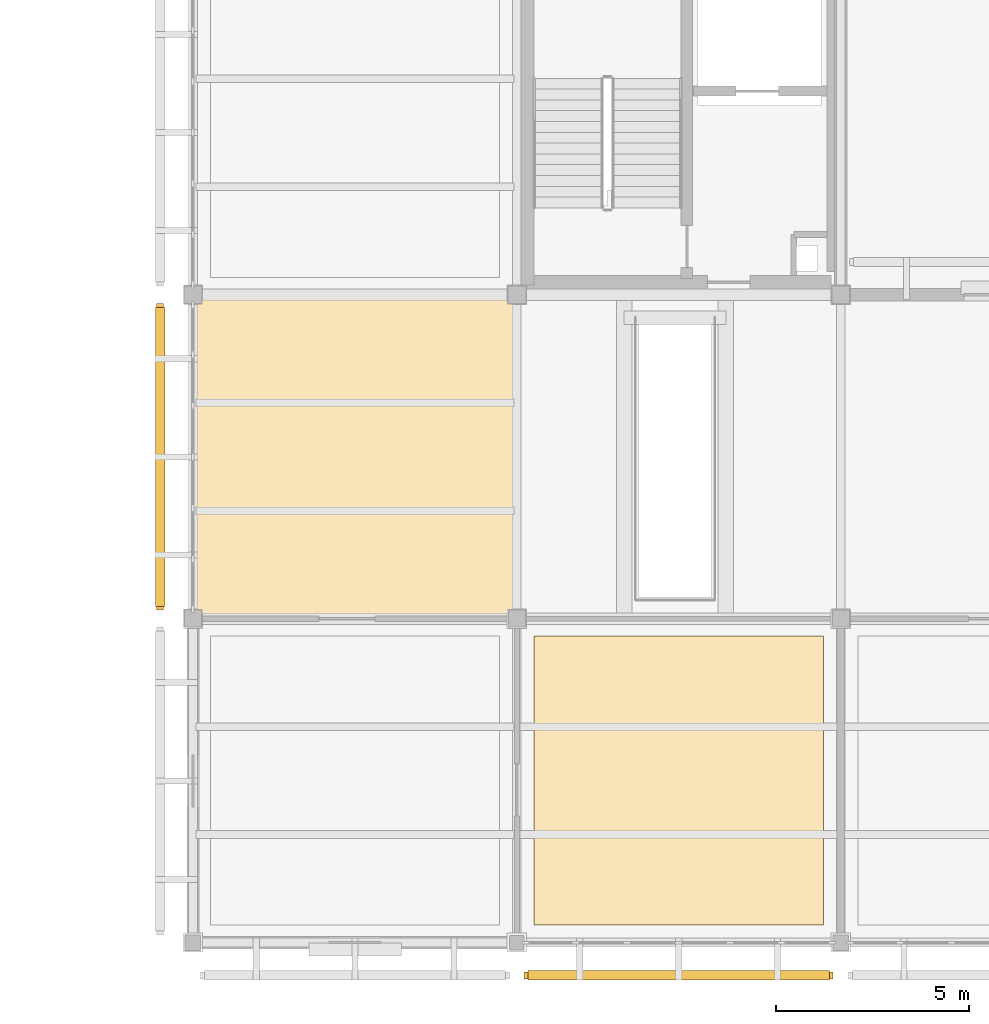
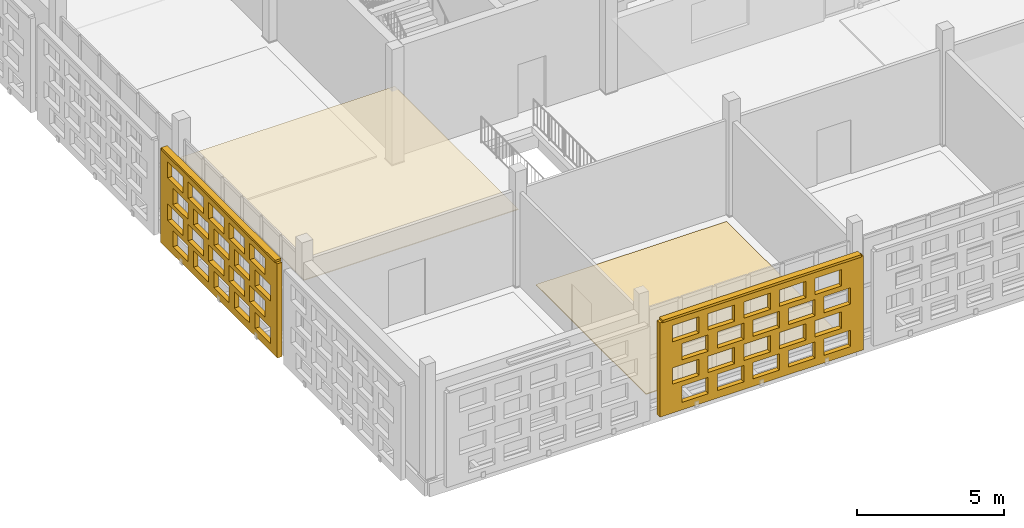
# One storey, part 134 of 203: 4 coverings, 2 shading devices, 40 openings.
"""IFC4 building model written with IfcOpenShell, lengths in metres."""

from ifc_helpers import new_model, si_unit, direction, frame, frame_2d, origin, origin_2d, place, context, subcontext, project, spatial, rectangle, extrude, material, layer, layer_set, type_object, element, save


model = new_model("IFC4")

# Units and contexts
model_context = context("Model", 3, precision=1e-05, world=origin(), true_north=direction((0.0, 1.0)))
body_context = subcontext(model_context, "Body", "Model", "MODEL_VIEW")
ifc_project = project(units=[si_unit("LENGTHUNIT", "METRE"), si_unit("AREAUNIT", "SQUARE_METRE"), si_unit("VOLUMEUNIT", "CUBIC_METRE"), si_unit("PLANEANGLEUNIT", "RADIAN"), si_unit("MASSUNIT", "GRAM", prefix="KILO")], contexts=[model_context])

# Site, building, storey
site_placement = place(None, origin())
site = spatial("IfcSite", under=ifc_project, at=site_placement, CompositionType="ELEMENT")
building_placement = place(site_placement, origin())
building = spatial("IfcBuilding", under=site, at=building_placement, Name="Varnapada Polytechnic", CompositionType="ELEMENT")
storey_placement = place(building_placement, frame((0.0, 0.0, 4.800048828125)))
storey = spatial("IfcBuildingStorey", under=building, at=storey_placement, Name="L01", CompositionType="ELEMENT", Elevation=4.800048828125)

# Coverings
ifc_material_1 = material(Name="Acoustic Rubber Seminar Flooring")
ifc_layer_1 = layer(ifc_material_1, 0.0400390625)
ifc_layer_set_1 = layer_set([ifc_layer_1], Name="Acoustic Rubber Seminar Flooring")
covering_type_1 = type_object("IfcCoveringType", Name="Floor Finish FLR-06", PredefinedType="FLOORING", material=ifc_layer_set_1)
covering_1_placement = place(storey_placement, frame((21.0, 4.199951171875, 0.0), z_axis=(0.0, 0.0, 1.0), x_axis=(1.0, 0.0, 0.0)))
element("IfcCovering", 1, at=covering_1_placement, inside=storey, type_object=covering_type_1, Name="L01 floor finish panel (3,1)", PredefinedType="FLOORING", context=body_context, shape_type="SweptSolid", body=[
    extrude(rectangle(XDim=7.5, YDim=7.5, at=origin_2d()), origin(), (0.0, 0.0, 1.0), 0.0400390625),
])
ifc_material_2 = material(Name="Cleanroom Laboratory Metal Pan Ceiling")
ifc_layer_2 = layer(ifc_material_2, 0.034912109375)
ifc_layer_set_2 = layer_set([ifc_layer_2], Name="Cleanroom Laboratory Metal Pan Ceiling")
covering_type_2 = type_object("IfcCoveringType", Name="Suspended Ceiling CLG-06", PredefinedType="CEILING", material=ifc_layer_set_2)
covering_2_placement = place(storey_placement, frame((12.60009765625, 12.60009765625, 3.03271484375), z_axis=(0.0, 0.0, 1.0), x_axis=(1.0, 0.0, 0.0)))
element("IfcCovering", 2, at=covering_2_placement, inside=storey, type_object=covering_type_2, Name="L01 suspended acoustic ceiling (2,2)", PredefinedType="CEILING", context=body_context, shape_type="SweptSolid", body=[
    extrude(rectangle(XDim=8.419921875, YDim=8.419921875, at=origin_2d()), origin(), (0.0, 0.0, 1.0), 0.034912109375),
])

# Covering, openings
ifc_material_3 = material(Name="Earth-toned architectural terracotta screen block", Category="masonry")
ifc_layer_3 = layer(ifc_material_3, 0.1201171875)
ifc_layer_set_3 = layer_set([ifc_layer_3], Name="Earth-toned architectural terracotta screen block")
covering_type_3 = type_object("IfcCoveringType", Name="Terracotta Screen Cladding CLD-01", PredefinedType="CLADDING", material=ifc_layer_set_3)
covering_3_placement = place(storey_placement, frame((7.550048828125, 8.6201171875, 0.0), z_axis=(0.0, 0.0, 1.0), x_axis=(0.0, 1.0, 0.0)))
covering_3 = element("IfcCovering", 3, at=covering_3_placement, inside=storey, type_object=covering_type_3, Name="L01 perforated terracotta block screen (15)", PredefinedType="CLADDING", context=body_context, shape_type="SweptSolid", body=[
    extrude(rectangle(XDim=7.949951171875, YDim=0.179931640625, at=frame_2d((3.97509765625, 0.0))), origin(), (0.0, 0.0, 1.0), 3.919921875),
])
opening_1_placement = place(covering_3_placement, frame((0.47509765625, 0.0, 0.313720703125)))
element("IfcOpeningElement", 4, at=opening_1_placement, cuts=covering_3, Name="Screen perforation TBS-L01-014.1", PredefinedType="OPENING", context=body_context, shape_type="SweptSolid", body=[
    extrude(rectangle(XDim=1.0400390625, YDim=0.679931640625, at=frame_2d((0.52001953125, 0.33984375))), frame((0.0, 0.099853515625, 0.0), z_axis=(0.0, -1.0, 0.0), x_axis=(1.0, 0.0, 0.0)), (0.0, 0.0, 1.0), 0.199951171875),
])
opening_2_placement = place(covering_3_placement, frame((1.875, 0.0, 0.313720703125)))
element("IfcOpeningElement", 5, at=opening_2_placement, cuts=covering_3, Name="Screen perforation TBS-L01-014.2", PredefinedType="OPENING", context=body_context, shape_type="SweptSolid", body=[
    extrude(rectangle(XDim=1.0400390625, YDim=0.679931640625, at=frame_2d((0.52001953125, 0.33984375))), frame((0.0, 0.099853515625, 0.0), z_axis=(0.0, -1.0, 0.0), x_axis=(1.0, 0.0, 0.0)), (0.0, 0.0, 1.0), 0.199951171875),
])
opening_3_placement = place(covering_3_placement, frame((3.27490234375, 0.0, 0.313720703125)))
element("IfcOpeningElement", 6, at=opening_3_placement, cuts=covering_3, Name="Screen perforation TBS-L01-014.3", PredefinedType="OPENING", context=body_context, shape_type="SweptSolid", body=[
    extrude(rectangle(XDim=1.0400390625, YDim=0.679931640625, at=frame_2d((0.52001953125, 0.33984375))), frame((0.0, 0.099853515625, 0.0), z_axis=(0.0, -1.0, 0.0), x_axis=(1.0, 0.0, 0.0)), (0.0, 0.0, 1.0), 0.199951171875),
])
opening_4_placement = place(covering_3_placement, frame((4.675048828125, 0.0, 0.313720703125)))
element("IfcOpeningElement", 7, at=opening_4_placement, cuts=covering_3, Name="Screen perforation TBS-L01-014.4", PredefinedType="OPENING", context=body_context, shape_type="SweptSolid", body=[
    extrude(rectangle(XDim=1.0400390625, YDim=0.679931640625, at=frame_2d((0.52001953125, 0.33984375))), frame((0.0, 0.099853515625, 0.0), z_axis=(0.0, -1.0, 0.0), x_axis=(1.0, 0.0, 0.0)), (0.0, 0.0, 1.0), 0.199951171875),
])
opening_5_placement = place(covering_3_placement, frame((6.074951171875, 0.0, 0.313720703125)))
element("IfcOpeningElement", 8, at=opening_5_placement, cuts=covering_3, Name="Screen perforation TBS-L01-014.5", PredefinedType="OPENING", context=body_context, shape_type="SweptSolid", body=[
    extrude(rectangle(XDim=1.0400390625, YDim=0.679931640625, at=frame_2d((0.52001953125, 0.33984375))), frame((0.0, 0.099853515625, 0.0), z_axis=(0.0, -1.0, 0.0), x_axis=(1.0, 0.0, 0.0)), (0.0, 0.0, 1.0), 0.199951171875),
])
opening_6_placement = place(covering_3_placement, frame((0.8349609375, 0.0, 1.195556640625)))
element("IfcOpeningElement", 9, at=opening_6_placement, cuts=covering_3, Name="Screen perforation TBS-L01-014.6", PredefinedType="OPENING", context=body_context, shape_type="SweptSolid", body=[
    extrude(rectangle(XDim=1.0400390625, YDim=0.679931640625, at=frame_2d((0.52001953125, 0.33984375))), frame((0.0, 0.099853515625, 0.0), z_axis=(0.0, -1.0, 0.0), x_axis=(1.0, 0.0, 0.0)), (0.0, 0.0, 1.0), 0.199951171875),
])
opening_7_placement = place(covering_3_placement, frame((2.235107421875, 0.0, 1.195556640625)))
element("IfcOpeningElement", 10, at=opening_7_placement, cuts=covering_3, Name="Screen perforation TBS-L01-014.7", PredefinedType="OPENING", context=body_context, shape_type="SweptSolid", body=[
    extrude(rectangle(XDim=1.0400390625, YDim=0.679931640625, at=frame_2d((0.52001953125, 0.33984375))), frame((0.0, 0.099853515625, 0.0), z_axis=(0.0, -1.0, 0.0), x_axis=(1.0, 0.0, 0.0)), (0.0, 0.0, 1.0), 0.199951171875),
])
opening_8_placement = place(covering_3_placement, frame((3.635009765625, 0.0, 1.195556640625)))
element("IfcOpeningElement", 11, at=opening_8_placement, cuts=covering_3, Name="Screen perforation TBS-L01-014.8", PredefinedType="OPENING", context=body_context, shape_type="SweptSolid", body=[
    extrude(rectangle(XDim=1.0400390625, YDim=0.679931640625, at=frame_2d((0.52001953125, 0.33984375))), frame((0.0, 0.099853515625, 0.0), z_axis=(0.0, -1.0, 0.0), x_axis=(1.0, 0.0, 0.0)), (0.0, 0.0, 1.0), 0.199951171875),
])
opening_9_placement = place(covering_3_placement, frame((5.034912109375, 0.0, 1.195556640625)))
element("IfcOpeningElement", 12, at=opening_9_placement, cuts=covering_3, Name="Screen perforation TBS-L01-014.9", PredefinedType="OPENING", context=body_context, shape_type="SweptSolid", body=[
    extrude(rectangle(XDim=1.0400390625, YDim=0.679931640625, at=frame_2d((0.52001953125, 0.33984375))), frame((0.0, 0.099853515625, 0.0), z_axis=(0.0, -1.0, 0.0), x_axis=(1.0, 0.0, 0.0)), (0.0, 0.0, 1.0), 0.199951171875),
])
opening_10_placement = place(covering_3_placement, frame((6.43505859375, 0.0, 1.195556640625)))
element("IfcOpeningElement", 13, at=opening_10_placement, cuts=covering_3, Name="Screen perforation TBS-L01-014.10", PredefinedType="OPENING", context=body_context, shape_type="SweptSolid", body=[
    extrude(rectangle(XDim=1.0400390625, YDim=0.679931640625, at=frame_2d((0.52001953125, 0.33984375))), frame((0.0, 0.099853515625, 0.0), z_axis=(0.0, -1.0, 0.0), x_axis=(1.0, 0.0, 0.0)), (0.0, 0.0, 1.0), 0.199951171875),
])
opening_11_placement = place(covering_3_placement, frame((0.47509765625, 0.0, 2.07763671875)))
element("IfcOpeningElement", 14, at=opening_11_placement, cuts=covering_3, Name="Screen perforation TBS-L01-014.11", PredefinedType="OPENING", context=body_context, shape_type="SweptSolid", body=[
    extrude(rectangle(XDim=1.0400390625, YDim=0.679931640625, at=frame_2d((0.52001953125, 0.33984375))), frame((0.0, 0.099853515625, 0.0), z_axis=(0.0, -1.0, 0.0), x_axis=(1.0, 0.0, 0.0)), (0.0, 0.0, 1.0), 0.199951171875),
])
opening_12_placement = place(covering_3_placement, frame((1.875, 0.0, 2.07763671875)))
element("IfcOpeningElement", 15, at=opening_12_placement, cuts=covering_3, Name="Screen perforation TBS-L01-014.12", PredefinedType="OPENING", context=body_context, shape_type="SweptSolid", body=[
    extrude(rectangle(XDim=1.0400390625, YDim=0.679931640625, at=frame_2d((0.52001953125, 0.33984375))), frame((0.0, 0.099853515625, 0.0), z_axis=(0.0, -1.0, 0.0), x_axis=(1.0, 0.0, 0.0)), (0.0, 0.0, 1.0), 0.199951171875),
])
opening_13_placement = place(covering_3_placement, frame((3.27490234375, 0.0, 2.07763671875)))
element("IfcOpeningElement", 16, at=opening_13_placement, cuts=covering_3, Name="Screen perforation TBS-L01-014.13", PredefinedType="OPENING", context=body_context, shape_type="SweptSolid", body=[
    extrude(rectangle(XDim=1.0400390625, YDim=0.679931640625, at=frame_2d((0.52001953125, 0.33984375))), frame((0.0, 0.099853515625, 0.0), z_axis=(0.0, -1.0, 0.0), x_axis=(1.0, 0.0, 0.0)), (0.0, 0.0, 1.0), 0.199951171875),
])
opening_14_placement = place(covering_3_placement, frame((4.675048828125, 0.0, 2.07763671875)))
element("IfcOpeningElement", 17, at=opening_14_placement, cuts=covering_3, Name="Screen perforation TBS-L01-014.14", PredefinedType="OPENING", context=body_context, shape_type="SweptSolid", body=[
    extrude(rectangle(XDim=1.0400390625, YDim=0.679931640625, at=frame_2d((0.52001953125, 0.33984375))), frame((0.0, 0.099853515625, 0.0), z_axis=(0.0, -1.0, 0.0), x_axis=(1.0, 0.0, 0.0)), (0.0, 0.0, 1.0), 0.199951171875),
])
opening_15_placement = place(covering_3_placement, frame((6.074951171875, 0.0, 2.07763671875)))
element("IfcOpeningElement", 18, at=opening_15_placement, cuts=covering_3, Name="Screen perforation TBS-L01-014.15", PredefinedType="OPENING", context=body_context, shape_type="SweptSolid", body=[
    extrude(rectangle(XDim=1.0400390625, YDim=0.679931640625, at=frame_2d((0.52001953125, 0.33984375))), frame((0.0, 0.099853515625, 0.0), z_axis=(0.0, -1.0, 0.0), x_axis=(1.0, 0.0, 0.0)), (0.0, 0.0, 1.0), 0.199951171875),
])
opening_16_placement = place(covering_3_placement, frame((0.8349609375, 0.0, 2.959716796875)))
element("IfcOpeningElement", 19, at=opening_16_placement, cuts=covering_3, Name="Screen perforation TBS-L01-014.16", PredefinedType="OPENING", context=body_context, shape_type="SweptSolid", body=[
    extrude(rectangle(XDim=1.0400390625, YDim=0.679931640625, at=frame_2d((0.52001953125, 0.33984375))), frame((0.0, 0.099853515625, 0.0), z_axis=(0.0, -1.0, 0.0), x_axis=(1.0, 0.0, 0.0)), (0.0, 0.0, 1.0), 0.199951171875),
])
opening_17_placement = place(covering_3_placement, frame((2.235107421875, 0.0, 2.959716796875)))
element("IfcOpeningElement", 20, at=opening_17_placement, cuts=covering_3, Name="Screen perforation TBS-L01-014.17", PredefinedType="OPENING", context=body_context, shape_type="SweptSolid", body=[
    extrude(rectangle(XDim=1.0400390625, YDim=0.679931640625, at=frame_2d((0.52001953125, 0.33984375))), frame((0.0, 0.099853515625, 0.0), z_axis=(0.0, -1.0, 0.0), x_axis=(1.0, 0.0, 0.0)), (0.0, 0.0, 1.0), 0.199951171875),
])
opening_18_placement = place(covering_3_placement, frame((3.635009765625, 0.0, 2.959716796875)))
element("IfcOpeningElement", 21, at=opening_18_placement, cuts=covering_3, Name="Screen perforation TBS-L01-014.18", PredefinedType="OPENING", context=body_context, shape_type="SweptSolid", body=[
    extrude(rectangle(XDim=1.0400390625, YDim=0.679931640625, at=frame_2d((0.52001953125, 0.33984375))), frame((0.0, 0.099853515625, 0.0), z_axis=(0.0, -1.0, 0.0), x_axis=(1.0, 0.0, 0.0)), (0.0, 0.0, 1.0), 0.199951171875),
])
opening_19_placement = place(covering_3_placement, frame((5.034912109375, 0.0, 2.959716796875)))
element("IfcOpeningElement", 22, at=opening_19_placement, cuts=covering_3, Name="Screen perforation TBS-L01-014.19", PredefinedType="OPENING", context=body_context, shape_type="SweptSolid", body=[
    extrude(rectangle(XDim=1.0400390625, YDim=0.679931640625, at=frame_2d((0.52001953125, 0.33984375))), frame((0.0, 0.099853515625, 0.0), z_axis=(0.0, -1.0, 0.0), x_axis=(1.0, 0.0, 0.0)), (0.0, 0.0, 1.0), 0.199951171875),
])
opening_20_placement = place(covering_3_placement, frame((6.43505859375, 0.0, 2.959716796875)))
element("IfcOpeningElement", 23, at=opening_20_placement, cuts=covering_3, Name="Screen perforation TBS-L01-014.20", PredefinedType="OPENING", context=body_context, shape_type="SweptSolid", body=[
    extrude(rectangle(XDim=1.0400390625, YDim=0.679931640625, at=frame_2d((0.52001953125, 0.33984375))), frame((0.0, 0.099853515625, 0.0), z_axis=(0.0, -1.0, 0.0), x_axis=(1.0, 0.0, 0.0)), (0.0, 0.0, 1.0), 0.199951171875),
])

covering_4_placement = place(storey_placement, frame((25.0, -0.85009765625, 0.0), z_axis=(0.0, 0.0, 1.0), x_axis=(-1.0, 0.0, 0.0)))
covering_4 = element("IfcCovering", 24, at=covering_4_placement, inside=storey, type_object=covering_type_3, Name="L01 perforated terracotta block screen (20)", PredefinedType="CLADDING", context=body_context, shape_type="SweptSolid", body=[
    extrude(rectangle(XDim=8.010009765625, YDim=0.179931640625, at=frame_2d((4.0048828125, 0.0))), origin(), (0.0, 0.0, 1.0), 3.919921875),
])
opening_21_placement = place(covering_4_placement, frame((0.5048828125, 0.0, 0.313720703125)))
element("IfcOpeningElement", 25, at=opening_21_placement, cuts=covering_4, Name="Screen perforation TBS-L01-019.1", PredefinedType="OPENING", context=body_context, shape_type="SweptSolid", body=[
    extrude(rectangle(XDim=1.0400390625, YDim=0.679931640625, at=frame_2d((0.52001953125, 0.33984375))), frame((0.0, 0.099853515625, 0.0), z_axis=(0.0, -1.0, 0.0), x_axis=(1.0, 0.0, 0.0)), (0.0, 0.0, 1.0), 0.199951171875),
])
opening_22_placement = place(covering_4_placement, frame((1.905029296875, 0.0, 0.313720703125)))
element("IfcOpeningElement", 26, at=opening_22_placement, cuts=covering_4, Name="Screen perforation TBS-L01-019.2", PredefinedType="OPENING", context=body_context, shape_type="SweptSolid", body=[
    extrude(rectangle(XDim=1.0400390625, YDim=0.679931640625, at=frame_2d((0.52001953125, 0.33984375))), frame((0.0, 0.099853515625, 0.0), z_axis=(0.0, -1.0, 0.0), x_axis=(1.0, 0.0, 0.0)), (0.0, 0.0, 1.0), 0.199951171875),
])
opening_23_placement = place(covering_4_placement, frame((3.304931640625, 0.0, 0.313720703125)))
element("IfcOpeningElement", 27, at=opening_23_placement, cuts=covering_4, Name="Screen perforation TBS-L01-019.3", PredefinedType="OPENING", context=body_context, shape_type="SweptSolid", body=[
    extrude(rectangle(XDim=1.0400390625, YDim=0.679931640625, at=frame_2d((0.52001953125, 0.33984375))), frame((0.0, 0.099853515625, 0.0), z_axis=(0.0, -1.0, 0.0), x_axis=(1.0, 0.0, 0.0)), (0.0, 0.0, 1.0), 0.199951171875),
])
opening_24_placement = place(covering_4_placement, frame((4.705078125, 0.0, 0.313720703125)))
element("IfcOpeningElement", 28, at=opening_24_placement, cuts=covering_4, Name="Screen perforation TBS-L01-019.4", PredefinedType="OPENING", context=body_context, shape_type="SweptSolid", body=[
    extrude(rectangle(XDim=1.0400390625, YDim=0.679931640625, at=frame_2d((0.52001953125, 0.33984375))), frame((0.0, 0.099853515625, 0.0), z_axis=(0.0, -1.0, 0.0), x_axis=(1.0, 0.0, 0.0)), (0.0, 0.0, 1.0), 0.199951171875),
])
opening_25_placement = place(covering_4_placement, frame((6.10498046875, 0.0, 0.313720703125)))
element("IfcOpeningElement", 29, at=opening_25_placement, cuts=covering_4, Name="Screen perforation TBS-L01-019.5", PredefinedType="OPENING", context=body_context, shape_type="SweptSolid", body=[
    extrude(rectangle(XDim=1.0400390625, YDim=0.679931640625, at=frame_2d((0.52001953125, 0.33984375))), frame((0.0, 0.099853515625, 0.0), z_axis=(0.0, -1.0, 0.0), x_axis=(1.0, 0.0, 0.0)), (0.0, 0.0, 1.0), 0.199951171875),
])
opening_26_placement = place(covering_4_placement, frame((0.864990234375, 0.0, 1.195556640625)))
element("IfcOpeningElement", 30, at=opening_26_placement, cuts=covering_4, Name="Screen perforation TBS-L01-019.6", PredefinedType="OPENING", context=body_context, shape_type="SweptSolid", body=[
    extrude(rectangle(XDim=1.0400390625, YDim=0.679931640625, at=frame_2d((0.52001953125, 0.33984375))), frame((0.0, 0.099853515625, 0.0), z_axis=(0.0, -1.0, 0.0), x_axis=(1.0, 0.0, 0.0)), (0.0, 0.0, 1.0), 0.199951171875),
])
opening_27_placement = place(covering_4_placement, frame((2.264892578125, 0.0, 1.195556640625)))
element("IfcOpeningElement", 31, at=opening_27_placement, cuts=covering_4, Name="Screen perforation TBS-L01-019.7", PredefinedType="OPENING", context=body_context, shape_type="SweptSolid", body=[
    extrude(rectangle(XDim=1.0400390625, YDim=0.679931640625, at=frame_2d((0.52001953125, 0.33984375))), frame((0.0, 0.099853515625, 0.0), z_axis=(0.0, -1.0, 0.0), x_axis=(1.0, 0.0, 0.0)), (0.0, 0.0, 1.0), 0.199951171875),
])
opening_28_placement = place(covering_4_placement, frame((3.6650390625, 0.0, 1.195556640625)))
element("IfcOpeningElement", 32, at=opening_28_placement, cuts=covering_4, Name="Screen perforation TBS-L01-019.8", PredefinedType="OPENING", context=body_context, shape_type="SweptSolid", body=[
    extrude(rectangle(XDim=1.0400390625, YDim=0.679931640625, at=frame_2d((0.52001953125, 0.33984375))), frame((0.0, 0.099853515625, 0.0), z_axis=(0.0, -1.0, 0.0), x_axis=(1.0, 0.0, 0.0)), (0.0, 0.0, 1.0), 0.199951171875),
])
opening_29_placement = place(covering_4_placement, frame((5.06494140625, 0.0, 1.195556640625)))
element("IfcOpeningElement", 33, at=opening_29_placement, cuts=covering_4, Name="Screen perforation TBS-L01-019.9", PredefinedType="OPENING", context=body_context, shape_type="SweptSolid", body=[
    extrude(rectangle(XDim=1.0400390625, YDim=0.679931640625, at=frame_2d((0.52001953125, 0.33984375))), frame((0.0, 0.099853515625, 0.0), z_axis=(0.0, -1.0, 0.0), x_axis=(1.0, 0.0, 0.0)), (0.0, 0.0, 1.0), 0.199951171875),
])
opening_30_placement = place(covering_4_placement, frame((6.465087890625, 0.0, 1.195556640625)))
element("IfcOpeningElement", 34, at=opening_30_placement, cuts=covering_4, Name="Screen perforation TBS-L01-019.10", PredefinedType="OPENING", context=body_context, shape_type="SweptSolid", body=[
    extrude(rectangle(XDim=1.0400390625, YDim=0.679931640625, at=frame_2d((0.52001953125, 0.33984375))), frame((0.0, 0.099853515625, 0.0), z_axis=(0.0, -1.0, 0.0), x_axis=(1.0, 0.0, 0.0)), (0.0, 0.0, 1.0), 0.199951171875),
])
opening_31_placement = place(covering_4_placement, frame((0.5048828125, 0.0, 2.07763671875)))
element("IfcOpeningElement", 35, at=opening_31_placement, cuts=covering_4, Name="Screen perforation TBS-L01-019.11", PredefinedType="OPENING", context=body_context, shape_type="SweptSolid", body=[
    extrude(rectangle(XDim=1.0400390625, YDim=0.679931640625, at=frame_2d((0.52001953125, 0.33984375))), frame((0.0, 0.099853515625, 0.0), z_axis=(0.0, -1.0, 0.0), x_axis=(1.0, 0.0, 0.0)), (0.0, 0.0, 1.0), 0.199951171875),
])
opening_32_placement = place(covering_4_placement, frame((1.905029296875, 0.0, 2.07763671875)))
element("IfcOpeningElement", 36, at=opening_32_placement, cuts=covering_4, Name="Screen perforation TBS-L01-019.12", PredefinedType="OPENING", context=body_context, shape_type="SweptSolid", body=[
    extrude(rectangle(XDim=1.0400390625, YDim=0.679931640625, at=frame_2d((0.52001953125, 0.33984375))), frame((0.0, 0.099853515625, 0.0), z_axis=(0.0, -1.0, 0.0), x_axis=(1.0, 0.0, 0.0)), (0.0, 0.0, 1.0), 0.199951171875),
])
opening_33_placement = place(covering_4_placement, frame((3.304931640625, 0.0, 2.07763671875)))
element("IfcOpeningElement", 37, at=opening_33_placement, cuts=covering_4, Name="Screen perforation TBS-L01-019.13", PredefinedType="OPENING", context=body_context, shape_type="SweptSolid", body=[
    extrude(rectangle(XDim=1.0400390625, YDim=0.679931640625, at=frame_2d((0.52001953125, 0.33984375))), frame((0.0, 0.099853515625, 0.0), z_axis=(0.0, -1.0, 0.0), x_axis=(1.0, 0.0, 0.0)), (0.0, 0.0, 1.0), 0.199951171875),
])
opening_34_placement = place(covering_4_placement, frame((4.705078125, 0.0, 2.07763671875)))
element("IfcOpeningElement", 38, at=opening_34_placement, cuts=covering_4, Name="Screen perforation TBS-L01-019.14", PredefinedType="OPENING", context=body_context, shape_type="SweptSolid", body=[
    extrude(rectangle(XDim=1.0400390625, YDim=0.679931640625, at=frame_2d((0.52001953125, 0.33984375))), frame((0.0, 0.099853515625, 0.0), z_axis=(0.0, -1.0, 0.0), x_axis=(1.0, 0.0, 0.0)), (0.0, 0.0, 1.0), 0.199951171875),
])
opening_35_placement = place(covering_4_placement, frame((6.10498046875, 0.0, 2.07763671875)))
element("IfcOpeningElement", 39, at=opening_35_placement, cuts=covering_4, Name="Screen perforation TBS-L01-019.15", PredefinedType="OPENING", context=body_context, shape_type="SweptSolid", body=[
    extrude(rectangle(XDim=1.0400390625, YDim=0.679931640625, at=frame_2d((0.52001953125, 0.33984375))), frame((0.0, 0.099853515625, 0.0), z_axis=(0.0, -1.0, 0.0), x_axis=(1.0, 0.0, 0.0)), (0.0, 0.0, 1.0), 0.199951171875),
])
opening_36_placement = place(covering_4_placement, frame((0.864990234375, 0.0, 2.959716796875)))
element("IfcOpeningElement", 40, at=opening_36_placement, cuts=covering_4, Name="Screen perforation TBS-L01-019.16", PredefinedType="OPENING", context=body_context, shape_type="SweptSolid", body=[
    extrude(rectangle(XDim=1.0400390625, YDim=0.679931640625, at=frame_2d((0.52001953125, 0.33984375))), frame((0.0, 0.099853515625, 0.0), z_axis=(0.0, -1.0, 0.0), x_axis=(1.0, 0.0, 0.0)), (0.0, 0.0, 1.0), 0.199951171875),
])
opening_37_placement = place(covering_4_placement, frame((2.264892578125, 0.0, 2.959716796875)))
element("IfcOpeningElement", 41, at=opening_37_placement, cuts=covering_4, Name="Screen perforation TBS-L01-019.17", PredefinedType="OPENING", context=body_context, shape_type="SweptSolid", body=[
    extrude(rectangle(XDim=1.0400390625, YDim=0.679931640625, at=frame_2d((0.52001953125, 0.33984375))), frame((0.0, 0.099853515625, 0.0), z_axis=(0.0, -1.0, 0.0), x_axis=(1.0, 0.0, 0.0)), (0.0, 0.0, 1.0), 0.199951171875),
])
opening_38_placement = place(covering_4_placement, frame((3.6650390625, 0.0, 2.959716796875)))
element("IfcOpeningElement", 42, at=opening_38_placement, cuts=covering_4, Name="Screen perforation TBS-L01-019.18", PredefinedType="OPENING", context=body_context, shape_type="SweptSolid", body=[
    extrude(rectangle(XDim=1.0400390625, YDim=0.679931640625, at=frame_2d((0.52001953125, 0.33984375))), frame((0.0, 0.099853515625, 0.0), z_axis=(0.0, -1.0, 0.0), x_axis=(1.0, 0.0, 0.0)), (0.0, 0.0, 1.0), 0.199951171875),
])
opening_39_placement = place(covering_4_placement, frame((5.06494140625, 0.0, 2.959716796875)))
element("IfcOpeningElement", 43, at=opening_39_placement, cuts=covering_4, Name="Screen perforation TBS-L01-019.19", PredefinedType="OPENING", context=body_context, shape_type="SweptSolid", body=[
    extrude(rectangle(XDim=1.0400390625, YDim=0.679931640625, at=frame_2d((0.52001953125, 0.33984375))), frame((0.0, 0.099853515625, 0.0), z_axis=(0.0, -1.0, 0.0), x_axis=(1.0, 0.0, 0.0)), (0.0, 0.0, 1.0), 0.199951171875),
])
opening_40_placement = place(covering_4_placement, frame((6.465087890625, 0.0, 2.959716796875)))
element("IfcOpeningElement", 44, at=opening_40_placement, cuts=covering_4, Name="Screen perforation TBS-L01-019.20", PredefinedType="OPENING", context=body_context, shape_type="SweptSolid", body=[
    extrude(rectangle(XDim=1.0400390625, YDim=0.679931640625, at=frame_2d((0.52001953125, 0.33984375))), frame((0.0, 0.099853515625, 0.0), z_axis=(0.0, -1.0, 0.0), x_axis=(1.0, 0.0, 0.0)), (0.0, 0.0, 1.0), 0.199951171875),
])

# Shading devices
ifc_layer_4 = layer(ifc_material_3, 0.179931640625)
ifc_layer_set_4 = layer_set([ifc_layer_4], Name="Earth-toned architectural terracotta screen block")
shading_device_type = type_object("IfcShadingDeviceType", Name="Terracotta Screen SCR-02", PredefinedType="USERDEFINED", material=ifc_layer_set_4)
shading_device_1_placement = place(storey_placement, frame((7.550048828125, 12.594970703125, 3.909912109375), z_axis=(0.0, 0.0, 1.0), x_axis=(0.0, 1.0, 0.0)))
element("IfcShadingDevice", 45, at=shading_device_1_placement, inside=storey, type_object=shading_device_type, Name="L01 perforated terracotta screen hood 97", ObjectType="SCREEN", PredefinedType="USERDEFINED", context=body_context, shape_type="SweptSolid", body=[
    extrude(rectangle(XDim=7.75, YDim=0.239990234375, at=origin_2d()), origin(), (0.0, 0.0, 1.0), 0.10009765625),
])
shading_device_2_placement = place(storey_placement, frame((20.9951171875, -0.85009765625, 3.909912109375), z_axis=(0.0, 0.0, 1.0), x_axis=(-1.0, 0.0, 0.0)))
element("IfcShadingDevice", 46, at=shading_device_2_placement, inside=storey, type_object=shading_device_type, Name="L01 perforated terracotta screen hood 102", ObjectType="SCREEN", PredefinedType="USERDEFINED", context=body_context, shape_type="SweptSolid", body=[
    extrude(rectangle(XDim=7.81005859375, YDim=0.239990234375, at=origin_2d()), origin(), (0.0, 0.0, 1.0), 0.10009765625),
])

save(model, "model.ifc")
